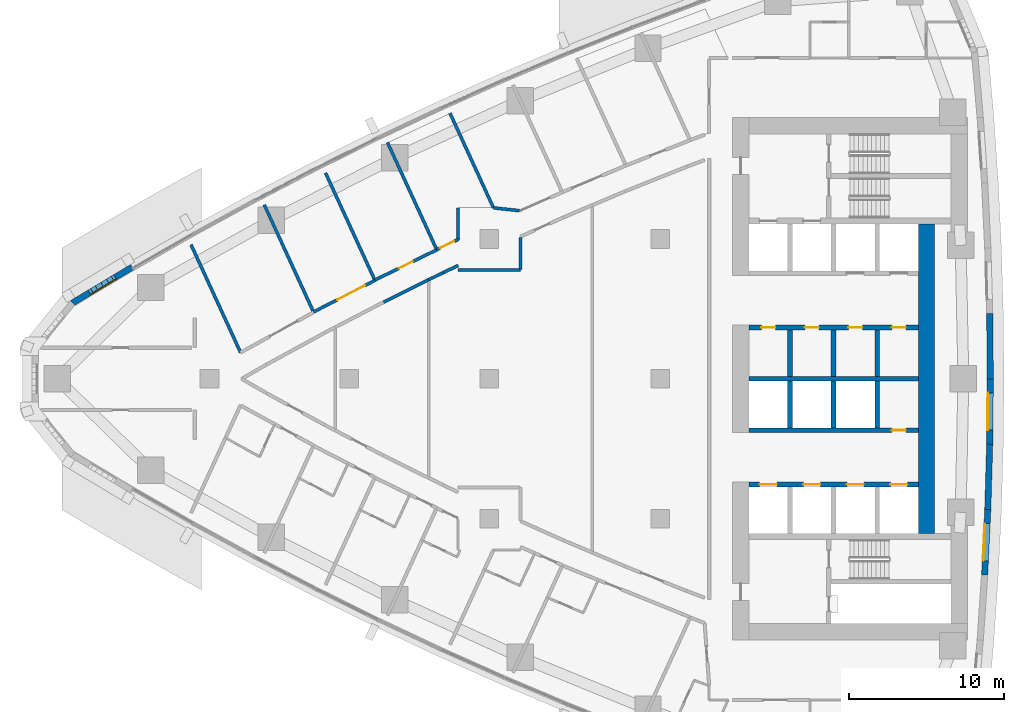
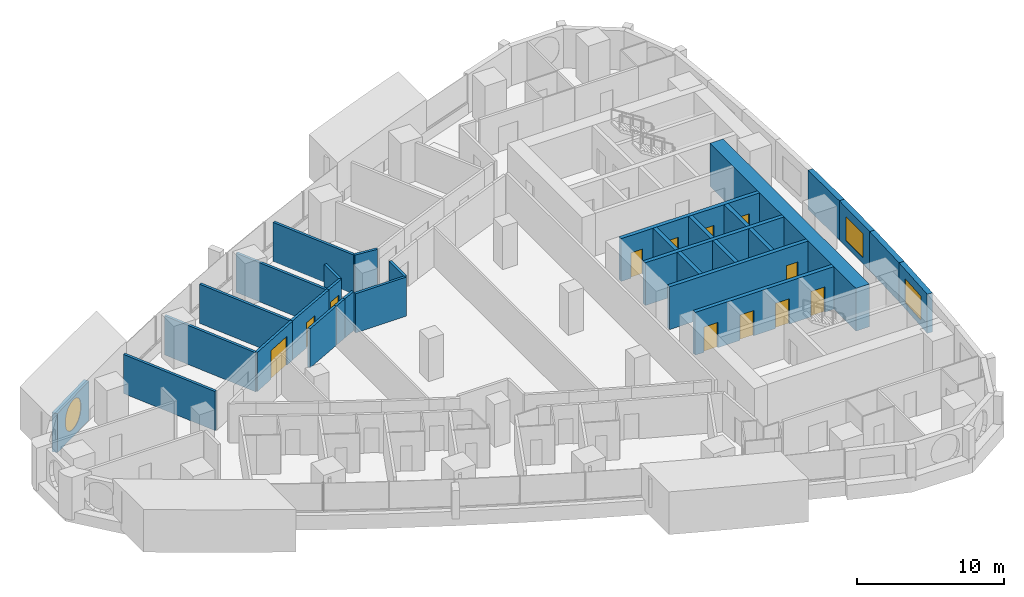
# One storey, part 11 of 17: 31 walls, 12 doors, 3 windows, 15 openings.
"""IFC4 building model written with IfcOpenShell, lengths in metres."""

from ifc_helpers import new_model, si_unit, direction, frame, frame_2d, origin, place, context, subcontext, project, spatial, polyline, rectangle, outline, extrude, material, layer, layer_set, type_object, element, fill, save


model = new_model("IFC4")

# Units and contexts
model_context = context("Model", 3, precision=1e-05, world=origin(), true_north=direction((0.0, 1.0)))
body_context = subcontext(model_context, "Body", "Model", "MODEL_VIEW")
ifc_project = project(units=[si_unit("LENGTHUNIT", "METRE"), si_unit("AREAUNIT", "SQUARE_METRE"), si_unit("VOLUMEUNIT", "CUBIC_METRE"), si_unit("PLANEANGLEUNIT", "RADIAN"), si_unit("MASSUNIT", "GRAM", prefix="KILO")], contexts=[model_context])

# Site, building, storey
site_placement = place(None, origin())
site = spatial("IfcSite", under=ifc_project, at=site_placement, CompositionType="ELEMENT")
building_placement = place(site_placement, origin())
building = spatial("IfcBuilding", under=site, at=building_placement, Name="Ostrand Prow Hotel Tower", CompositionType="ELEMENT")
storey_placement = place(building_placement, frame((0.0, 0.0, 88.449951171875)))
storey = spatial("IfcBuildingStorey", under=building, at=storey_placement, Name="L20", CompositionType="ELEMENT", Elevation=88.449951171875)

# Walls
ifc_material_1 = material(Name="Concrete C80/95", Category="concrete")
ifc_layer_1 = layer(ifc_material_1, 1.050048828125)
ifc_layer_set_1 = layer_set([ifc_layer_1], Name="Concrete C80/95")
wall_type_1 = type_object("IfcWallType", Name="Core wall 1050 C80/95", PredefinedType="SHEAR", material=ifc_layer_set_1)
wall_1_placement = place(storey_placement, frame((62.125, -9.949951171875, 0.0), z_axis=(0.0, 0.0, 1.0), x_axis=(0.0, 1.0, 0.0)))
element("IfcWall", 1, at=wall_1_placement, inside=storey, type_object=wall_type_1, Name="Core wall CW-E-C", PredefinedType="SHEAR", context=body_context, shape_type="SweptSolid", body=[
    extrude(rectangle(XDim=19.89990234375, YDim=1.050048828125, at=frame_2d((9.949951171875, 0.0))), origin(), (0.0, 0.0, 1.0), 3.550048828125),
])
ifc_material_2 = material(Name="Concrete C80/95", Category="concrete")
ifc_layer_2 = layer(ifc_material_2, 0.300048828125)
ifc_layer_set_2 = layer_set([ifc_layer_2], Name="Concrete C80/95")
wall_type_2 = type_object("IfcWallType", Name="Core wall 300 C80/95", PredefinedType="SHEAR", material=ifc_layer_set_2)
wall_2_placement = place(storey_placement, frame((50.699951171875, 0.0, 0.0), z_axis=(0.0, 0.0, 1.0), x_axis=(1.0, 0.0, 0.0)))
element("IfcWall", 2, at=wall_2_placement, inside=storey, type_object=wall_type_2, Name="Core wall PW-C", PredefinedType="SHEAR", context=body_context, shape_type="SweptSolid", body=[
    extrude(rectangle(XDim=10.900146484375, YDim=0.300048828125, at=frame_2d((5.4501953125, 0.0))), origin(), (0.0, 0.0, 1.0), 3.550048828125),
])

# Wall, openings, doors
wall_3_placement = place(storey_placement, frame((50.699951171875, 3.300048828125, 0.0), z_axis=(0.0, 0.0, 1.0), x_axis=(1.0, 0.0, 0.0)))
wall_3 = element("IfcWall", 3, at=wall_3_placement, inside=storey, type_object=wall_type_2, Name="Core wall PW-L1-N", PredefinedType="SHEAR", context=body_context, shape_type="SweptSolid", body=[
    extrude(rectangle(XDim=10.900146484375, YDim=0.300048828125, at=frame_2d((5.4501953125, 0.0))), origin(), (0.0, 0.0, 1.0), 3.550048828125),
])
opening_1_placement = place(wall_3_placement, frame((0.800048828125, 0.0, 0.0)))
opening_1 = element("IfcOpeningElement", 4, at=opening_1_placement, cuts=wall_3, Name="Opening FD2", PredefinedType="OPENING", context=body_context, shape_type="SweptSolid", body=[
    extrude(rectangle(XDim=0.89990234375, YDim=2.10009765625, at=frame_2d((0.449951171875, 1.050048828125))), frame((0.0, 0.159912109375, 0.0), z_axis=(0.0, -1.0, 0.0), x_axis=(1.0, 0.0, 0.0)), (0.0, 0.0, 1.0), 0.320068359375),
])
opening_2_placement = place(wall_3_placement, frame((3.60009765625, 0.0, 0.0)))
opening_2 = element("IfcOpeningElement", 5, at=opening_2_placement, cuts=wall_3, Name="Opening FD2", PredefinedType="OPENING", context=body_context, shape_type="SweptSolid", body=[
    extrude(rectangle(XDim=0.89990234375, YDim=2.10009765625, at=frame_2d((0.449951171875, 1.050048828125))), frame((0.0, 0.159912109375, 0.0), z_axis=(0.0, -1.0, 0.0), x_axis=(1.0, 0.0, 0.0)), (0.0, 0.0, 1.0), 0.320068359375),
])
opening_3_placement = place(wall_3_placement, frame((6.39990234375, 0.0, 0.0)))
opening_3 = element("IfcOpeningElement", 6, at=opening_3_placement, cuts=wall_3, Name="Opening FD2", PredefinedType="OPENING", context=body_context, shape_type="SweptSolid", body=[
    extrude(rectangle(XDim=0.89990234375, YDim=2.10009765625, at=frame_2d((0.449951171875, 1.050048828125))), frame((0.0, 0.159912109375, 0.0), z_axis=(0.0, -1.0, 0.0), x_axis=(1.0, 0.0, 0.0)), (0.0, 0.0, 1.0), 0.320068359375),
])
opening_4_placement = place(wall_3_placement, frame((9.199951171875, 0.0, 0.0)))
opening_4 = element("IfcOpeningElement", 7, at=opening_4_placement, cuts=wall_3, Name="Opening FD2", PredefinedType="OPENING", context=body_context, shape_type="SweptSolid", body=[
    extrude(rectangle(XDim=0.89990234375, YDim=2.10009765625, at=frame_2d((0.449951171875, 1.050048828125))), frame((0.0, 0.159912109375, 0.0), z_axis=(0.0, -1.0, 0.0), x_axis=(1.0, 0.0, 0.0)), (0.0, 0.0, 1.0), 0.320068359375),
])
ifc_material_3 = material(Name="Steel fire door", Category="steel")
door_type_1 = type_object("IfcDoorType", Name="Fire door 900 EI120", OperationType="SINGLE_SWING_LEFT", PredefinedType="DOOR", material=ifc_material_3)
door_1_placement = place(opening_1_placement, origin())
door_1 = element("IfcDoor", 8, at=door_1_placement, inside=storey, type_object=door_type_1, Name="DOOR", OperationType="SINGLE_SWING_LEFT", OverallHeight=2.10009765625, OverallWidth=0.89990234375, PredefinedType="DOOR", context=body_context, shape_type="SweptSolid", body=[
    extrude(rectangle(XDim=0.89990234375, YDim=2.10009765625, at=frame_2d((0.449951171875, 1.050048828125))), frame((0.0, 0.02490234375, 0.0), z_axis=(0.0, -1.0, 0.0), x_axis=(1.0, 0.0, 0.0)), (0.0, 0.0, 1.0), 0.050048828125),
])
fill(opening_1, door_1)
door_2_placement = place(opening_2_placement, origin())
door_2 = element("IfcDoor", 9, at=door_2_placement, inside=storey, type_object=door_type_1, Name="DOOR", OperationType="SINGLE_SWING_LEFT", OverallHeight=2.10009765625, OverallWidth=0.89990234375, PredefinedType="DOOR", context=body_context, shape_type="SweptSolid", body=[
    extrude(rectangle(XDim=0.89990234375, YDim=2.10009765625, at=frame_2d((0.449951171875, 1.050048828125))), frame((0.0, 0.02490234375, 0.0), z_axis=(0.0, -1.0, 0.0), x_axis=(1.0, 0.0, 0.0)), (0.0, 0.0, 1.0), 0.050048828125),
])
fill(opening_2, door_2)
door_3_placement = place(opening_3_placement, origin())
door_3 = element("IfcDoor", 10, at=door_3_placement, inside=storey, type_object=door_type_1, Name="DOOR", OperationType="SINGLE_SWING_LEFT", OverallHeight=2.10009765625, OverallWidth=0.89990234375, PredefinedType="DOOR", context=body_context, shape_type="SweptSolid", body=[
    extrude(rectangle(XDim=0.89990234375, YDim=2.10009765625, at=frame_2d((0.449951171875, 1.050048828125))), frame((0.0, 0.02490234375, 0.0), z_axis=(0.0, -1.0, 0.0), x_axis=(1.0, 0.0, 0.0)), (0.0, 0.0, 1.0), 0.050048828125),
])
fill(opening_3, door_3)
door_4_placement = place(opening_4_placement, origin())
door_4 = element("IfcDoor", 11, at=door_4_placement, inside=storey, type_object=door_type_1, Name="DOOR", OperationType="SINGLE_SWING_LEFT", OverallHeight=2.10009765625, OverallWidth=0.89990234375, PredefinedType="DOOR", context=body_context, shape_type="SweptSolid", body=[
    extrude(rectangle(XDim=0.89990234375, YDim=2.10009765625, at=frame_2d((0.449951171875, 1.050048828125))), frame((0.0, 0.02490234375, 0.0), z_axis=(0.0, -1.0, 0.0), x_axis=(1.0, 0.0, 0.0)), (0.0, 0.0, 1.0), 0.050048828125),
])
fill(opening_4, door_4)

# Walls
for number, where, z_axis, x_axis, name in (
    (12, (53.35009765625, 0.14990234375, 0.0), (0.0, 0.0, 1.0), (0.0, 1.0, 0.0), "Core wall PW-R1-NB"),
    (13, (56.14990234375, 0.14990234375, 0.0), (0.0, 0.0, 1.0), (0.0, 1.0, 0.0), "Core wall PW-R2-NB"),
    (14, (58.949951171875, 0.14990234375, 0.0), (0.0, 0.0, 1.0), (0.0, 1.0, 0.0), "Core wall PW-R3-NB"),
):
    element("IfcWall", number, at=place(storey_placement, frame(where, z_axis=z_axis, x_axis=x_axis)), inside=storey, type_object=wall_type_2, Name=name, PredefinedType="SHEAR", context=body_context, shape_type="SweptSolid", body=[
        extrude(rectangle(XDim=3.0, YDim=0.300048828125, at=frame_2d((1.5, 0.0))), origin(), (0.0, 0.0, 1.0), 3.550048828125),
    ])

# Wall, opening, door
wall_4_placement = place(storey_placement, frame((50.699951171875, -3.300048828125, 0.0), z_axis=(0.0, 0.0, 1.0), x_axis=(1.0, 0.0, 0.0)))
wall_4 = element("IfcWall", 15, at=wall_4_placement, inside=storey, type_object=wall_type_2, Name="Core wall PW-L1-S", PredefinedType="SHEAR", context=body_context, shape_type="SweptSolid", body=[
    extrude(rectangle(XDim=10.900146484375, YDim=0.300048828125, at=frame_2d((5.4501953125, 0.0))), origin(), (0.0, 0.0, 1.0), 3.550048828125),
])
opening_5_placement = place(wall_4_placement, frame((9.199951171875, 0.0, 0.0)))
opening_5 = element("IfcOpeningElement", 16, at=opening_5_placement, cuts=wall_4, Name="Opening FD2", PredefinedType="OPENING", context=body_context, shape_type="SweptSolid", body=[
    extrude(rectangle(XDim=0.89990234375, YDim=2.10009765625, at=frame_2d((0.449951171875, 1.050048828125))), frame((0.0, 0.159912109375, 0.0), z_axis=(0.0, -1.0, 0.0), x_axis=(1.0, 0.0, 0.0)), (0.0, 0.0, 1.0), 0.320068359375),
])
door_5_placement = place(opening_5_placement, origin())
door_5 = element("IfcDoor", 17, at=door_5_placement, inside=storey, type_object=door_type_1, Name="DOOR", OperationType="SINGLE_SWING_LEFT", OverallHeight=2.10009765625, OverallWidth=0.89990234375, PredefinedType="DOOR", context=body_context, shape_type="SweptSolid", body=[
    extrude(rectangle(XDim=0.89990234375, YDim=2.10009765625, at=frame_2d((0.449951171875, 1.050048828125))), frame((0.0, 0.02490234375, 0.0), z_axis=(0.0, -1.0, 0.0), x_axis=(1.0, 0.0, 0.0)), (0.0, 0.0, 1.0), 0.050048828125),
])
fill(opening_5, door_5)

# Wall, openings, doors
wall_5_placement = place(storey_placement, frame((50.699951171875, -6.800048828125, 0.0), z_axis=(0.0, 0.0, 1.0), x_axis=(1.0, 0.0, 0.0)))
wall_5 = element("IfcWall", 18, at=wall_5_placement, inside=storey, type_object=wall_type_2, Name="Core wall PW-L2-S", PredefinedType="SHEAR", context=body_context, shape_type="SweptSolid", body=[
    extrude(rectangle(XDim=10.900146484375, YDim=0.300048828125, at=frame_2d((5.4501953125, 0.0))), origin(), (0.0, 0.0, 1.0), 3.550048828125),
])
opening_6_placement = place(wall_5_placement, frame((0.699951171875, 0.0, 0.0)))
opening_6 = element("IfcOpeningElement", 19, at=opening_6_placement, cuts=wall_5, Name="Opening LD", PredefinedType="OPENING", context=body_context, shape_type="SweptSolid", body=[
    extrude(rectangle(XDim=1.10009765625, YDim=2.10009765625, at=frame_2d((0.550048828125, 1.050048828125))), frame((0.0, 0.159912109375, 0.0), z_axis=(0.0, -1.0, 0.0), x_axis=(1.0, 0.0, 0.0)), (0.0, 0.0, 1.0), 0.320068359375),
])
opening_7_placement = place(wall_5_placement, frame((3.5, 0.0, 0.0)))
opening_7 = element("IfcOpeningElement", 20, at=opening_7_placement, cuts=wall_5, Name="Opening LD", PredefinedType="OPENING", context=body_context, shape_type="SweptSolid", body=[
    extrude(rectangle(XDim=1.10009765625, YDim=2.10009765625, at=frame_2d((0.550048828125, 1.050048828125))), frame((0.0, 0.159912109375, 0.0), z_axis=(0.0, -1.0, 0.0), x_axis=(1.0, 0.0, 0.0)), (0.0, 0.0, 1.0), 0.320068359375),
])
opening_8_placement = place(wall_5_placement, frame((6.300048828125, 0.0, 0.0)))
opening_8 = element("IfcOpeningElement", 21, at=opening_8_placement, cuts=wall_5, Name="Opening LD", PredefinedType="OPENING", context=body_context, shape_type="SweptSolid", body=[
    extrude(rectangle(XDim=1.10009765625, YDim=2.10009765625, at=frame_2d((0.550048828125, 1.050048828125))), frame((0.0, 0.159912109375, 0.0), z_axis=(0.0, -1.0, 0.0), x_axis=(1.0, 0.0, 0.0)), (0.0, 0.0, 1.0), 0.320068359375),
])
opening_9_placement = place(wall_5_placement, frame((9.10009765625, 0.0, 0.0)))
opening_9 = element("IfcOpeningElement", 22, at=opening_9_placement, cuts=wall_5, Name="Opening LD", PredefinedType="OPENING", context=body_context, shape_type="SweptSolid", body=[
    extrude(rectangle(XDim=1.10009765625, YDim=2.10009765625, at=frame_2d((0.550048828125, 1.050048828125))), frame((0.0, 0.159912109375, 0.0), z_axis=(0.0, -1.0, 0.0), x_axis=(1.0, 0.0, 0.0)), (0.0, 0.0, 1.0), 0.320068359375),
])
ifc_material_4 = material(Name="Stainless steel door", Category="steel")
door_type_2 = type_object("IfcDoorType", Name="Lift landing door 1100", OperationType="DOUBLE_DOOR_SLIDING", PredefinedType="DOOR", material=ifc_material_4)
door_6_placement = place(opening_6_placement, origin())
door_6 = element("IfcDoor", 23, at=door_6_placement, inside=storey, type_object=door_type_2, Name="LIFT LANDING DOOR", OperationType="DOUBLE_DOOR_SLIDING", OverallHeight=2.10009765625, OverallWidth=1.10009765625, PredefinedType="DOOR", context=body_context, shape_type="SweptSolid", body=[
    extrude(rectangle(XDim=1.10009765625, YDim=2.10009765625, at=frame_2d((0.550048828125, 1.050048828125))), frame((0.0, 0.02490234375, 0.0), z_axis=(0.0, -1.0, 0.0), x_axis=(1.0, 0.0, 0.0)), (0.0, 0.0, 1.0), 0.050048828125),
])
fill(opening_6, door_6)
door_7_placement = place(opening_7_placement, origin())
door_7 = element("IfcDoor", 24, at=door_7_placement, inside=storey, type_object=door_type_2, Name="LIFT LANDING DOOR", OperationType="DOUBLE_DOOR_SLIDING", OverallHeight=2.10009765625, OverallWidth=1.10009765625, PredefinedType="DOOR", context=body_context, shape_type="SweptSolid", body=[
    extrude(rectangle(XDim=1.10009765625, YDim=2.10009765625, at=frame_2d((0.550048828125, 1.050048828125))), frame((0.0, 0.02490234375, 0.0), z_axis=(0.0, -1.0, 0.0), x_axis=(1.0, 0.0, 0.0)), (0.0, 0.0, 1.0), 0.050048828125),
])
fill(opening_7, door_7)
door_8_placement = place(opening_8_placement, origin())
door_8 = element("IfcDoor", 25, at=door_8_placement, inside=storey, type_object=door_type_2, Name="LIFT LANDING DOOR", OperationType="DOUBLE_DOOR_SLIDING", OverallHeight=2.10009765625, OverallWidth=1.10009765625, PredefinedType="DOOR", context=body_context, shape_type="SweptSolid", body=[
    extrude(rectangle(XDim=1.10009765625, YDim=2.10009765625, at=frame_2d((0.550048828125, 1.050048828125))), frame((0.0, 0.02490234375, 0.0), z_axis=(0.0, -1.0, 0.0), x_axis=(1.0, 0.0, 0.0)), (0.0, 0.0, 1.0), 0.050048828125),
])
fill(opening_8, door_8)
door_9_placement = place(opening_9_placement, origin())
door_9 = element("IfcDoor", 26, at=door_9_placement, inside=storey, type_object=door_type_2, Name="LIFT LANDING DOOR", OperationType="DOUBLE_DOOR_SLIDING", OverallHeight=2.10009765625, OverallWidth=1.10009765625, PredefinedType="DOOR", context=body_context, shape_type="SweptSolid", body=[
    extrude(rectangle(XDim=1.10009765625, YDim=2.10009765625, at=frame_2d((0.550048828125, 1.050048828125))), frame((0.0, 0.02490234375, 0.0), z_axis=(0.0, -1.0, 0.0), x_axis=(1.0, 0.0, 0.0)), (0.0, 0.0, 1.0), 0.050048828125),
])
fill(opening_9, door_9)

# Walls
for number, where, z_axis, x_axis, name in (
    (27, (53.35009765625, -3.14990234375, 0.0), (0.0, 0.0, 1.0), (0.0, 1.0, 0.0), "Core wall PW-R1-SB"),
    (28, (56.14990234375, -3.14990234375, 0.0), (0.0, 0.0, 1.0), (0.0, 1.0, 0.0), "Core wall PW-R2-SB"),
    (29, (58.949951171875, -3.14990234375, 0.0), (0.0, 0.0, 1.0), (0.0, 1.0, 0.0), "Core wall PW-R3-SB"),
):
    element("IfcWall", number, at=place(storey_placement, frame(where, z_axis=z_axis, x_axis=x_axis)), inside=storey, type_object=wall_type_2, Name=name, PredefinedType="SHEAR", context=body_context, shape_type="SweptSolid", body=[
        extrude(rectangle(XDim=3.0, YDim=0.300048828125, at=frame_2d((1.5, 0.0))), origin(), (0.0, 0.0, 1.0), 3.550048828125),
    ])

# Wall, opening, door
ifc_material_5 = material(Name="Plasterboard partition")
ifc_layer_3 = layer(ifc_material_5, 0.199951171875)
ifc_layer_set_3 = layer_set([ifc_layer_3], Name="Plasterboard partition")
wall_type_3 = type_object("IfcWallType", Name="Partition 200 corridor wall", PredefinedType="PARTITIONING", material=ifc_layer_set_3)
wall_6_placement = place(storey_placement, frame((22.6904296875, 4.302490234375, 0.0), z_axis=(0.0, 0.0, 1.0), x_axis=(0.889236075961, 0.457448577667, 0.0)))
wall_6 = element("IfcWall", 30, at=wall_6_placement, inside=storey, type_object=wall_type_3, Name="CORRIDOR WALL", PredefinedType="PARTITIONING", context=body_context, shape_type="SweptSolid", body=[
    extrude(rectangle(XDim=4.443115234375, YDim=0.199951171875, at=frame_2d((2.2216796875, 0.0))), origin(), (0.0, 0.0, 1.0), 3.25),
])
opening_10_placement = place(wall_6_placement, frame((1.721435546875, 0.0, 0.0)))
opening_10 = element("IfcOpeningElement", 31, at=opening_10_placement, cuts=wall_6, Name="Opening D20", PredefinedType="OPENING", context=body_context, shape_type="SweptSolid", body=[
    extrude(rectangle(XDim=2.0, YDim=2.39990234375, at=frame_2d((1.0, 1.199951171875))), frame((0.0, 0.10986328125, 0.0), z_axis=(0.0, -1.0, 0.0), x_axis=(1.0, 0.0, 0.0)), (0.0, 0.0, 1.0), 0.219970703125),
])
ifc_material_6 = material(Name="Timber door leaf", Category="wood")
door_type_3 = type_object("IfcDoorType", Name="Double door 2000", OperationType="DOUBLE_DOOR_SINGLE_SWING", PredefinedType="DOOR", material=ifc_material_6)
door_10_placement = place(opening_10_placement, origin())
door_10 = element("IfcDoor", 32, at=door_10_placement, inside=storey, type_object=door_type_3, Name="DOOR", OperationType="DOUBLE_DOOR_SINGLE_SWING", OverallHeight=2.39990234375, OverallWidth=2.0, PredefinedType="DOOR", context=body_context, shape_type="SweptSolid", body=[
    extrude(rectangle(XDim=2.0, YDim=2.39990234375, at=frame_2d((1.0, 1.199951171875))), frame((0.0, 0.02490234375, 0.0), z_axis=(0.0, -1.0, 0.0), x_axis=(1.0, 0.0, 0.0)), (0.0, 0.0, 1.0), 0.050048828125),
])
fill(opening_10, door_10)

wall_7_placement = place(storey_placement, frame((26.6328125, 6.35302734375, 0.0), z_axis=(0.0, 0.0, 1.0), x_axis=(0.898502457097, 0.438968489291, 0.0)))
wall_7 = element("IfcWall", 33, at=wall_7_placement, inside=storey, type_object=wall_type_3, Name="CORRIDOR WALL", PredefinedType="PARTITIONING", context=body_context, shape_type="SweptSolid", body=[
    extrude(rectangle(XDim=4.43994140625, YDim=0.199951171875, at=frame_2d((2.219970703125, 0.0))), origin(), (0.0, 0.0, 1.0), 3.25),
])
opening_11_placement = place(wall_7_placement, frame((1.719970703125, 0.0, 0.0)))
opening_11 = element("IfcOpeningElement", 34, at=opening_11_placement, cuts=wall_7, Name="Opening D1", PredefinedType="OPENING", context=body_context, shape_type="SweptSolid", body=[
    extrude(rectangle(XDim=1.0, YDim=2.10009765625, at=frame_2d((0.5, 1.050048828125))), frame((0.0, 0.10986328125, 0.0), z_axis=(0.0, -1.0, 0.0), x_axis=(1.0, 0.0, 0.0)), (0.0, 0.0, 1.0), 0.219970703125),
])
ifc_material_7 = material(Name="Timber door leaf", Category="wood")
door_type_4 = type_object("IfcDoorType", Name="Guest room door 1000", OperationType="SINGLE_SWING_LEFT", PredefinedType="DOOR", material=ifc_material_7)
door_11_placement = place(opening_11_placement, origin())
door_11 = element("IfcDoor", 35, at=door_11_placement, inside=storey, type_object=door_type_4, Name="DOOR", OperationType="SINGLE_SWING_LEFT", OverallHeight=2.10009765625, OverallWidth=1.0, PredefinedType="DOOR", context=body_context, shape_type="SweptSolid", body=[
    extrude(rectangle(XDim=1.0, YDim=2.10009765625, at=frame_2d((0.5, 1.050048828125))), frame((0.0, 0.02490234375, 0.0), z_axis=(0.0, -1.0, 0.0), x_axis=(1.0, 0.0, 0.0)), (0.0, 0.0, 1.0), 0.050048828125),
])
fill(opening_11, door_11)

wall_8_placement = place(storey_placement, frame((32.0, 8.972900390625, 0.0), z_axis=(0.0, 0.0, 1.0), x_axis=(-0.904695891996, -0.42605791039, 0.0)))
wall_8 = element("IfcWall", 36, at=wall_8_placement, inside=storey, type_object=wall_type_3, Name="CORRIDOR WALL", PredefinedType="PARTITIONING", context=body_context, shape_type="SweptSolid", body=[
    extrude(rectangle(XDim=1.5322265625, YDim=0.199951171875, at=frame_2d((0.76611328125, 0.0))), origin(), (0.0, 0.0, 1.0), 3.25),
])
opening_12_placement = place(wall_8_placement, frame((0.300048828125, 0.0, 0.0)))
opening_12 = element("IfcOpeningElement", 37, at=opening_12_placement, cuts=wall_8, Name="Opening D1R", PredefinedType="OPENING", context=body_context, shape_type="SweptSolid", body=[
    extrude(rectangle(XDim=1.0, YDim=2.10009765625, at=frame_2d((0.5, 1.050048828125))), frame((0.0, 0.10986328125, 0.0), z_axis=(0.0, -1.0, 0.0), x_axis=(1.0, 0.0, 0.0)), (0.0, 0.0, 1.0), 0.219970703125),
])
ifc_material_8 = material(Name="Timber door leaf", Category="wood")
door_type_5 = type_object("IfcDoorType", Name="Guest room door 1000 right", OperationType="SINGLE_SWING_RIGHT", PredefinedType="DOOR", material=ifc_material_8)
door_12_placement = place(opening_12_placement, origin())
door_12 = element("IfcDoor", 38, at=door_12_placement, inside=storey, type_object=door_type_5, Name="DOOR", OperationType="SINGLE_SWING_RIGHT", OverallHeight=2.10009765625, OverallWidth=1.0, PredefinedType="DOOR", context=body_context, shape_type="SweptSolid", body=[
    extrude(rectangle(XDim=1.0, YDim=2.10009765625, at=frame_2d((0.5, 1.050048828125))), frame((0.0, 0.02490234375, 0.0), z_axis=(0.0, -1.0, 0.0), x_axis=(1.0, 0.0, 0.0)), (0.0, 0.0, 1.0), 0.050048828125),
])
fill(opening_12, door_12)

# Walls
wall_9_placement = place(storey_placement, frame((27.1962890625, 4.935791015625, 0.0), z_axis=(0.0, 0.0, 1.0), x_axis=(0.895974251126, 0.444106002345, 0.0)))
element("IfcWall", 39, at=wall_9_placement, inside=storey, type_object=wall_type_3, Name="CORRIDOR WALL", PredefinedType="PARTITIONING", context=body_context, shape_type="SweptSolid", body=[
    extrude(rectangle(XDim=3.239501953125, YDim=0.199951171875, at=frame_2d((1.61962890625, 0.0))), origin(), (0.0, 0.0, 1.0), 3.25),
])
wall_10_placement = place(storey_placement, frame((31.02490234375, 6.83349609375, 0.0), z_axis=(0.0, 0.0, 1.0), x_axis=(0.904690325494, 0.426069730159, 0.0)))
element("IfcWall", 40, at=wall_10_placement, inside=storey, type_object=wall_type_3, Name="CORRIDOR WALL", PredefinedType="PARTITIONING", context=body_context, shape_type="SweptSolid", body=[
    extrude(rectangle(XDim=1.077880859375, YDim=0.199951171875, at=frame_2d((0.5390625, 0.0))), origin(), (0.0, 0.0, 1.0), 3.25),
])
wall_11_placement = place(storey_placement, frame((30.098876953125, 6.37451171875, 0.0), z_axis=(0.0, 0.0, 1.0), x_axis=(0.89598080504, 0.44409277972, 0.0)))
element("IfcWall", 41, at=wall_11_placement, inside=storey, type_object=wall_type_3, Name="CORRIDOR WALL", PredefinedType="PARTITIONING", context=body_context, shape_type="SweptSolid", body=[
    extrude(rectangle(XDim=1.033447265625, YDim=0.199951171875, at=frame_2d((0.5166015625, 0.0))), origin(), (0.0, 0.0, 1.0), 3.25),
])
wall_12_placement = place(storey_placement, frame((31.99951171875, 6.9951171875, 0.0), z_axis=(0.0, 0.0, 1.0), x_axis=(0.99999999814, 6.0997926e-05, 0.0)))
element("IfcWall", 42, at=wall_12_placement, inside=storey, type_object=wall_type_3, Name="CORRIDOR WALL", PredefinedType="PARTITIONING", context=body_context, shape_type="SweptSolid", body=[
    extrude(rectangle(XDim=4.00244140625, YDim=0.199951171875, at=frame_2d((2.001220703125, 0.0))), origin(), (0.0, 0.0, 1.0), 3.25),
])
wall_13_placement = place(storey_placement, frame((36.001953125, 7.035400390625, 0.0), z_axis=(0.0, 0.0, 1.0), x_axis=(0.001412095556, 0.999999002993, 0.0)))
element("IfcWall", 43, at=wall_13_placement, inside=storey, type_object=wall_type_3, Name="CORRIDOR WALL", PredefinedType="PARTITIONING", context=body_context, shape_type="SweptSolid", body=[
    extrude(rectangle(XDim=2.07470703125, YDim=0.199951171875, at=frame_2d((1.037353515625, 0.0))), origin(), (0.0, 0.0, 1.0), 3.25),
])
wall_14_placement = place(storey_placement, frame((31.996826171875, 11.00390625, 0.0), z_axis=(0.0, 0.0, 1.0), x_axis=(0.001562685915, -0.999998779006, 0.0)))
element("IfcWall", 44, at=wall_14_placement, inside=storey, type_object=wall_type_3, Name="CORRIDOR WALL", PredefinedType="PARTITIONING", context=body_context, shape_type="SweptSolid", body=[
    extrude(rectangle(XDim=2.031005859375, YDim=0.199951171875, at=frame_2d((1.015625, 0.0))), origin(), (0.0, 0.0, 1.0), 3.25),
])
wall_15_placement = place(storey_placement, frame((35.960205078125, 10.81884765625, 0.0), z_axis=(0.0, 0.0, 1.0), x_axis=(-0.994302086265, 0.106599067766, 0.0)))
element("IfcWall", 45, at=wall_15_placement, inside=storey, type_object=wall_type_3, Name="CORRIDOR WALL", PredefinedType="PARTITIONING", context=body_context, shape_type="SweptSolid", body=[
    extrude(rectangle(XDim=1.699462890625, YDim=0.199951171875, at=frame_2d((0.849609375, 0.0))), origin(), (0.0, 0.0, 1.0), 3.25),
])
ifc_material_9 = material(Name="Plasterboard partition")
ifc_layer_4 = layer(ifc_material_9, 0.199951171875)
ifc_layer_set_4 = layer_set([ifc_layer_4], Name="Plasterboard partition")
wall_type_4 = type_object("IfcWallType", Name="Partition 200 key partition", PredefinedType="PARTITIONING", material=ifc_layer_set_4)
wall_16_placement = place(storey_placement, frame((14.814697265625, 8.625732421875, 0.0), z_axis=(0.0, 0.0, 1.0), x_axis=(0.417432341259, -0.908708006166, 0.0)))
element("IfcWall", 46, at=wall_16_placement, inside=storey, type_object=wall_type_4, Name="KEY PARTITION", PredefinedType="PARTITIONING", context=body_context, shape_type="SweptSolid", body=[
    extrude(rectangle(XDim=7.630615234375, YDim=0.199951171875, at=frame_2d((3.8154296875, 0.0))), origin(), (0.0, 0.0, 1.0), 3.25),
])
wall_17_placement = place(storey_placement, frame((22.69873046875, 4.284423828125, 0.0), z_axis=(0.0, 0.0, 1.0), x_axis=(-0.417413534969, 0.908716644959, 0.0)))
element("IfcWall", 47, at=wall_17_placement, inside=storey, type_object=wall_type_4, Name="KEY PARTITION", PredefinedType="PARTITIONING", context=body_context, shape_type="SweptSolid", body=[
    extrude(rectangle(XDim=7.609375, YDim=0.199951171875, at=frame_2d((3.8046875, 0.0))), origin(), (0.0, 0.0, 1.0), 3.25),
])
wall_18_placement = place(storey_placement, frame((26.641357421875, 6.3349609375, 0.0), z_axis=(0.0, 0.0, 1.0), x_axis=(-0.417455028008, 0.908697584233, 0.0)))
element("IfcWall", 48, at=wall_18_placement, inside=storey, type_object=wall_type_4, Name="KEY PARTITION", PredefinedType="PARTITIONING", context=body_context, shape_type="SweptSolid", body=[
    extrude(rectangle(XDim=7.603271484375, YDim=0.199951171875, at=frame_2d((3.8017578125, 0.0))), origin(), (0.0, 0.0, 1.0), 3.25),
])
wall_19_placement = place(storey_placement, frame((30.6220703125, 8.302001953125, 0.0), z_axis=(0.0, 0.0, 1.0), x_axis=(-0.417429919618, 0.90870911859, 0.0)))
element("IfcWall", 49, at=wall_19_placement, inside=storey, type_object=wall_type_4, Name="KEY PARTITION", PredefinedType="PARTITIONING", context=body_context, shape_type="SweptSolid", body=[
    extrude(rectangle(XDim=7.600341796875, YDim=0.199951171875, at=frame_2d((3.80029296875, 0.0))), origin(), (0.0, 0.0, 1.0), 3.25),
])
wall_20_placement = place(storey_placement, frame((34.2705078125, 11.0, 0.0), z_axis=(0.0, 0.0, 1.0), x_axis=(-0.417420546123, 0.908713424394, 0.0)))
element("IfcWall", 50, at=wall_20_placement, inside=storey, type_object=wall_type_4, Name="KEY PARTITION", PredefinedType="PARTITIONING", context=body_context, shape_type="SweptSolid", body=[
    extrude(rectangle(XDim=6.70556640625, YDim=0.199951171875, at=frame_2d((3.352783203125, 0.0))), origin(), (0.0, 0.0, 1.0), 3.25),
])

# Wall, opening, window
ifc_material_10 = material(Name="Precast concrete C40/50", Category="concrete")
ifc_layer_5 = layer(ifc_material_10, 0.39990234375)
ifc_layer_set_5 = layer_set([ifc_layer_5], Name="Precast concrete C40/50")
wall_type_5 = type_object("IfcWallType", Name="Stone-faced precast wall 400 mm", PredefinedType="NOTDEFINED", material=ifc_layer_set_5)
wall_21_placement = place(storey_placement, frame((11.02587890625, 7.18603515625, 0.0), z_axis=(0.0, 0.0, 1.0), x_axis=(-0.857550776474, -0.514399325202, 0.0)))
wall_21 = element("IfcWall", 51, at=wall_21_placement, inside=storey, type_object=wall_type_5, Name="Stone-faced wall prow 1", PredefinedType="NOTDEFINED", context=body_context, shape_type="SweptSolid", body=[
    extrude(outline(polyline([(0.0, -0.199951171875), (4.50341796875, -0.199951171875), (4.4326171875, 0.199951171875), (0.0, 0.199951171875), (0.0, -0.199951171875)])), origin(), (0.0, 0.0, 1.0), 3.25),
])
opening_13_placement = place(wall_21_placement, frame((1.134033203125, 0.0, 0.60009765625)))
opening_13 = element("IfcOpeningElement", 52, at=opening_13_placement, cuts=wall_21, Name="Opening WP2", PredefinedType="OPENING", context=body_context, shape_type="SweptSolid", body=[
    extrude(outline(polyline([(0.0, 1.35009765625), (0.083740234375, 1.77099609375), (0.322265625, 2.127685546875), (0.678955078125, 2.3662109375), (1.10009765625, 2.449951171875), (1.52099609375, 2.3662109375), (1.877685546875, 2.127685546875), (2.1162109375, 1.77099609375), (2.199951171875, 1.35009765625), (2.199951171875, 1.10009765625), (2.1162109375, 0.678955078125), (1.877685546875, 0.322265625), (1.52099609375, 0.083740234375), (1.10009765625, 0.0), (0.678955078125, 0.083740234375), (0.322265625, 0.322265625), (0.083740234375, 0.678955078125), (0.0, 1.099853515625), (0.0, 1.35009765625)])), frame((0.0, 0.2099609375, 0.0), z_axis=(0.0, -1.0, 0.0), x_axis=(1.0, 0.0, 0.0)), (0.0, 0.0, 1.0), 0.419921875),
])
ifc_material_11 = material(Name="Insulated glass in bronze frame", Category="glass")
window_type_1 = type_object("IfcWindowType", Name="Round-ended prow lounge window 2200x2450", PartitioningType="SINGLE_PANEL", PredefinedType="WINDOW", material=ifc_material_11)
window_1_placement = place(opening_13_placement, origin())
window_1 = element("IfcWindow", 53, at=window_1_placement, inside=storey, type_object=window_type_1, Name="Window prow 1.1", OverallHeight=2.449951171875, OverallWidth=2.199951171875, PartitioningType="SINGLE_PANEL", PredefinedType="WINDOW", context=body_context, shape_type="SweptSolid", body=[
    extrude(outline(polyline([(0.0, 1.35009765625), (0.083740234375, 1.77099609375), (0.322265625, 2.127685546875), (0.678955078125, 2.3662109375), (1.10009765625, 2.449951171875), (1.52099609375, 2.3662109375), (1.877685546875, 2.127685546875), (2.1162109375, 1.77099609375), (2.199951171875, 1.35009765625), (2.199951171875, 1.10009765625), (2.1162109375, 0.678955078125), (1.877685546875, 0.322265625), (1.52099609375, 0.083740234375), (1.10009765625, 0.0), (0.678955078125, 0.083740234375), (0.322265625, 0.322265625), (0.083740234375, 0.678955078125), (0.0, 1.099853515625), (0.0, 1.35009765625)])), frame((0.0, 0.169921875, 0.0), z_axis=(0.0, -1.0, 0.0), x_axis=(1.0, 0.0, 0.0)), (0.0, 0.0, 1.0), 0.06005859375),
])
fill(opening_13, window_1)

wall_22_placement = place(storey_placement, frame((65.8681640625, -12.613525390625, 0.0), z_axis=(0.0, 0.0, 1.0), x_axis=(0.048342691508, 0.998830808585, 0.0)))
wall_22 = element("IfcWall", 54, at=wall_22_placement, inside=storey, type_object=wall_type_5, Name="Stone-faced wall back 7", PredefinedType="NOTDEFINED", context=body_context, shape_type="SweptSolid", body=[
    extrude(outline(polyline([(-0.001953125, -0.199951171875), (4.208740234375, -0.199951171875), (4.204833984375, 0.199951171875), (0.001953125, 0.199951171875), (-0.001953125, -0.199951171875)])), origin(), (0.0, 0.0, 1.0), 3.25),
])
opening_14_placement = place(wall_22_placement, frame((0.9033203125, 0.0, 0.5)))
opening_14 = element("IfcOpeningElement", 55, at=opening_14_placement, cuts=wall_22, Name="Opening WA1", PredefinedType="OPENING", context=body_context, shape_type="SweptSolid", body=[
    extrude(rectangle(XDim=2.39990234375, YDim=2.0, at=frame_2d((1.199951171875, 1.0))), frame((0.0, 0.2099609375, 0.0), z_axis=(0.0, -1.0, 0.0), x_axis=(1.0, 0.0, 0.0)), (0.0, 0.0, 1.0), 0.419921875),
])
ifc_material_12 = material(Name="Insulated glass in bronze frame", Category="glass")
window_type_2 = type_object("IfcWindowType", Name="Amenity picture window 2400x2000", PartitioningType="SINGLE_PANEL", PredefinedType="WINDOW", material=ifc_material_12)
window_2_placement = place(opening_14_placement, origin())
window_2 = element("IfcWindow", 56, at=window_2_placement, inside=storey, type_object=window_type_2, Name="Window back 7.1", OverallHeight=2.0, OverallWidth=2.39990234375, PartitioningType="SINGLE_PANEL", PredefinedType="WINDOW", context=body_context, shape_type="SweptSolid", body=[
    extrude(rectangle(XDim=2.39990234375, YDim=2.0, at=frame_2d((1.199951171875, 1.0))), frame((0.0, 0.169921875, 0.0), z_axis=(0.0, -1.0, 0.0), x_axis=(1.0, 0.0, 0.0)), (0.0, 0.0, 1.0), 0.06005859375),
])
fill(opening_14, window_2)

# Wall
wall_23_placement = place(storey_placement, frame((66.071533203125, -8.41162109375, 0.0), z_axis=(0.0, 0.0, 1.0), x_axis=(0.02901703777, 0.999578917104, 0.0)))
element("IfcWall", 57, at=wall_23_placement, inside=storey, type_object=wall_type_5, Name="Stone-faced wall back 8", PredefinedType="NOTDEFINED", context=body_context, shape_type="SweptSolid", body=[
    extrude(outline(polyline([(-0.001953125, -0.199951171875), (4.208740234375, -0.199951171875), (4.204833984375, 0.199951171875), (0.001953125, 0.199951171875), (-0.001953125, -0.199951171875)])), origin(), (0.0, 0.0, 1.0), 3.25),
])

# Wall, opening, window
wall_24_placement = place(storey_placement, frame((66.193603515625, -4.20654296875, 0.0), z_axis=(0.0, 0.0, 1.0), x_axis=(0.00969194175, 0.99995303203, 0.0)))
wall_24 = element("IfcWall", 58, at=wall_24_placement, inside=storey, type_object=wall_type_5, Name="Stone-faced wall back 9", PredefinedType="NOTDEFINED", context=body_context, shape_type="SweptSolid", body=[
    extrude(outline(polyline([(-0.001953125, -0.199951171875), (4.208740234375, -0.199951171875), (4.204833984375, 0.199951171875), (0.001953125, 0.199951171875), (-0.001953125, -0.199951171875)])), origin(), (0.0, 0.0, 1.0), 3.25),
])
opening_15_placement = place(wall_24_placement, frame((0.9033203125, 0.0, 0.5)))
opening_15 = element("IfcOpeningElement", 59, at=opening_15_placement, cuts=wall_24, Name="Opening WA1", PredefinedType="OPENING", context=body_context, shape_type="SweptSolid", body=[
    extrude(rectangle(XDim=2.39990234375, YDim=2.0, at=frame_2d((1.199951171875, 1.0))), frame((0.0, 0.2099609375, 0.0), z_axis=(0.0, -1.0, 0.0), x_axis=(1.0, 0.0, 0.0)), (0.0, 0.0, 1.0), 0.419921875),
])
window_3_placement = place(opening_15_placement, origin())
window_3 = element("IfcWindow", 60, at=window_3_placement, inside=storey, type_object=window_type_2, Name="Window back 9.1", OverallHeight=2.0, OverallWidth=2.39990234375, PartitioningType="SINGLE_PANEL", PredefinedType="WINDOW", context=body_context, shape_type="SweptSolid", body=[
    extrude(rectangle(XDim=2.39990234375, YDim=2.0, at=frame_2d((1.199951171875, 1.0))), frame((0.0, 0.169921875, 0.0), z_axis=(0.0, -1.0, 0.0), x_axis=(1.0, 0.0, 0.0)), (0.0, 0.0, 1.0), 0.06005859375),
])
fill(opening_15, window_3)

# Wall
wall_25_placement = place(storey_placement, frame((66.234375, 0.0, 0.0), z_axis=(0.0, 0.0, 1.0), x_axis=(-0.00969194175, 0.99995303203, 0.0)))
element("IfcWall", 61, at=wall_25_placement, inside=storey, type_object=wall_type_5, Name="Stone-faced wall back 10", PredefinedType="NOTDEFINED", context=body_context, shape_type="SweptSolid", body=[
    extrude(outline(polyline([(-0.001953125, -0.199951171875), (4.208740234375, -0.199951171875), (4.204833984375, 0.199951171875), (0.001953125, 0.199951171875), (-0.001953125, -0.199951171875)])), origin(), (0.0, 0.0, 1.0), 3.25),
])

save(model, "model.ifc")
